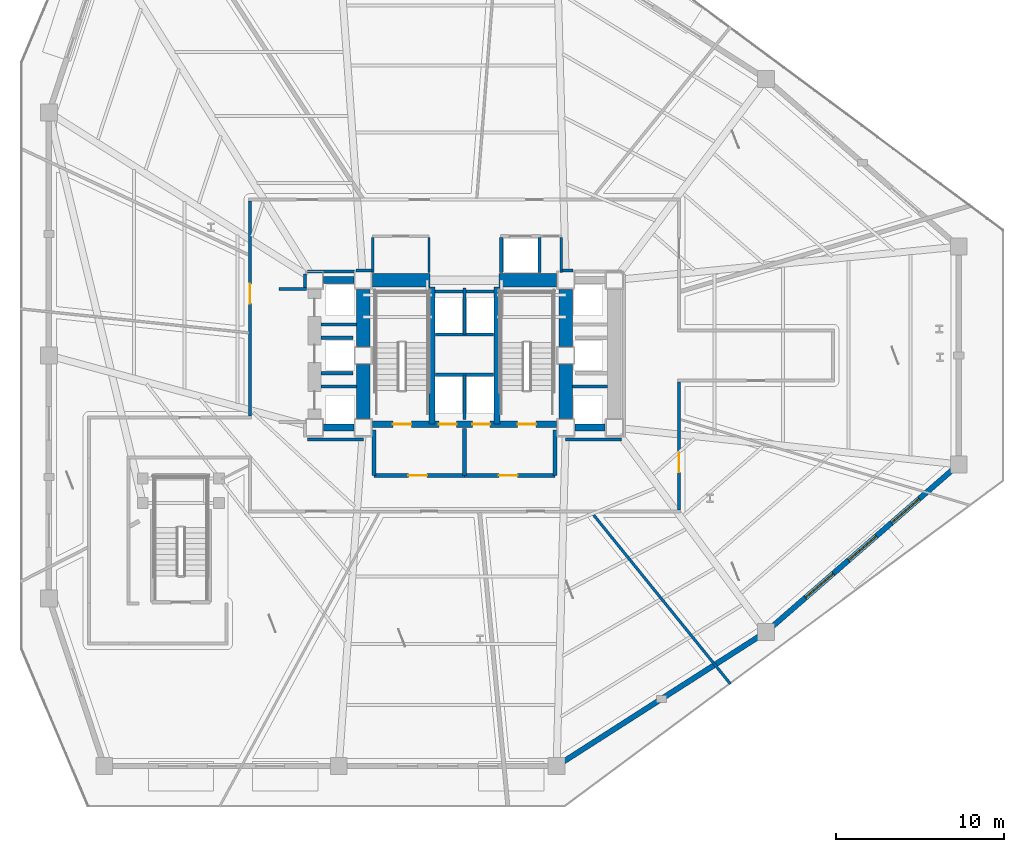
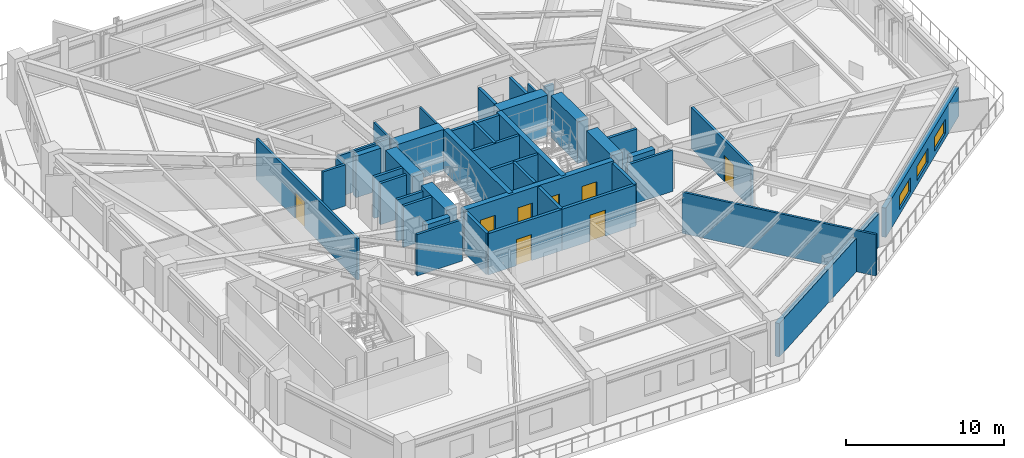
# One storey, part 4 of 10: 44 walls, 8 doors, 3 windows, 11 openings.
"""IFC4 building model written with IfcOpenShell, lengths in metres."""

from ifc_helpers import new_model, si_unit, direction, frame, frame_2d, origin, place, context, subcontext, project, spatial, rectangle, extrude, material, layer, layer_set, type_object, element, fill, save


model = new_model("IFC4")

# Units and contexts
model_context = context("Model", 3, precision=1e-05, world=origin(), true_north=direction((0.0, 1.0)))
body_context = subcontext(model_context, "Body", "Model", "MODEL_VIEW")
ifc_project = project(units=[si_unit("LENGTHUNIT", "METRE"), si_unit("AREAUNIT", "SQUARE_METRE"), si_unit("VOLUMEUNIT", "CUBIC_METRE"), si_unit("PLANEANGLEUNIT", "RADIAN"), si_unit("MASSUNIT", "GRAM", prefix="KILO")], contexts=[model_context])

# Site, building, storey
site_placement = place(None, origin())
site = spatial("IfcSite", under=ifc_project, at=site_placement, CompositionType="ELEMENT")
building_placement = place(site_placement, origin())
building = spatial("IfcBuilding", under=site, at=building_placement, Name="Rocaltana Carrier Exchange", CompositionType="ELEMENT")
storey_placement = place(building_placement, frame((0.0, 0.0, 4.800048828125)))
storey = spatial("IfcBuildingStorey", under=building, at=storey_placement, Name="L02", CompositionType="ELEMENT", Elevation=4.800048828125)

# Walls
ifc_material_1 = material(Name="Double Acoustic Gypsum Partition", Category="gypsum")
ifc_layer_1 = layer(ifc_material_1, 0.159912109375)
ifc_layer_set_1 = layer_set([ifc_layer_1], Name="Double Acoustic Gypsum Partition")
wall_type_1 = type_object("IfcWallType", Name="Acoustic Studio Partition 160 EI60", PredefinedType="PARTITIONING", material=ifc_layer_set_1)
wall_1_placement = place(storey_placement, frame((7.595703125, -9.3798828125, 0.0), z_axis=(0.0, 0.0, 1.0), x_axis=(0.62932258483, -0.777144184964, 0.0)))
element("IfcWall", 1, at=wall_1_placement, inside=storey, type_object=wall_type_1, Name="L02 Suite Divider Wall D6", PredefinedType="PARTITIONING", context=body_context, shape_type="SweptSolid", body=[
    extrude(rectangle(XDim=13.158203125, YDim=0.159912109375, at=frame_2d((6.5791015625, 0.0))), origin(), (0.0, 0.0, 1.0), 3.19287109375),
])
ifc_material_2 = material(Name="Concrete C50/60", Category="concrete")
ifc_layer_2 = layer(ifc_material_2, 0.35009765625)
ifc_layer_set_2 = layer_set([ifc_layer_2], Name="Concrete C50/60")
wall_type_2 = type_object("IfcWallType", Name="Core Internal Shear Wall 350", PredefinedType="SHEAR", material=ifc_layer_set_2)
for number, where, z_axis, x_axis, name in (
    (2, (-1.93994140625, -4.10009765625, 0.0), (0.0, 0.0, 1.0), (0.0, 1.0, 0.0), "L02 Core Shear Wall CW-STW"),
    (3, (1.93994140625, -4.10009765625, 0.0), (0.0, 0.0, 1.0), (0.0, 1.0, 0.0), "L02 Core Shear Wall CW-STE"),
):
    element("IfcWall", number, at=place(storey_placement, frame(where, z_axis=z_axis, x_axis=x_axis)), inside=storey, type_object=wall_type_2, Name=name, PredefinedType="SHEAR", context=body_context, shape_type="SweptSolid", body=[
        extrude(rectangle(XDim=8.2001953125, YDim=0.35009765625, at=frame_2d((4.10009765625, 0.0))), origin(), (0.0, 0.0, 1.0), 3.218017578125),
    ])

# Wall, openings, doors
ifc_material_3 = material(Name="Concrete C50/60", Category="concrete")
ifc_layer_3 = layer(ifc_material_3, 0.39990234375)
ifc_layer_set_3 = layer_set([ifc_layer_3], Name="Concrete C50/60")
wall_type_3 = type_object("IfcWallType", Name="Core Internal Shear Wall 400", PredefinedType="SHEAR", material=ifc_layer_set_3)
wall_2_placement = place(storey_placement, frame((-5.5, -4.10009765625, 0.0), z_axis=(0.0, 0.0, 1.0), x_axis=(1.0, 0.0, 0.0)))
wall_2 = element("IfcWall", 4, at=wall_2_placement, inside=storey, type_object=wall_type_3, Name="L02 Core Shear Wall CW-S", PredefinedType="SHEAR", context=body_context, shape_type="SweptSolid", body=[
    extrude(rectangle(XDim=11.0, YDim=0.39990234375, at=frame_2d((5.5, 0.0))), origin(), (0.0, 0.0, 1.0), 3.218017578125),
])
opening_1_placement = place(wall_2_placement, frame((1.22998046875, 0.0, 0.0)))
opening_1 = element("IfcOpeningElement", 5, at=opening_1_placement, cuts=wall_2, Name="Opening D-ST110", PredefinedType="OPENING", context=body_context, shape_type="SweptSolid", body=[
    extrude(rectangle(XDim=1.10009765625, YDim=2.0400390625, at=frame_2d((0.550048828125, 1.02001953125))), frame((0.0, 0.2099609375, 0.0), z_axis=(0.0, -1.0, 0.0), x_axis=(1.0, 0.0, 0.0)), (0.0, 0.0, 1.0), 0.419921875),
])
opening_2_placement = place(wall_2_placement, frame((8.669921875, 0.0, 0.0)))
opening_2 = element("IfcOpeningElement", 6, at=opening_2_placement, cuts=wall_2, Name="Opening D-ST110", PredefinedType="OPENING", context=body_context, shape_type="SweptSolid", body=[
    extrude(rectangle(XDim=1.10009765625, YDim=2.0400390625, at=frame_2d((0.550048828125, 1.02001953125))), frame((0.0, 0.2099609375, 0.0), z_axis=(0.0, -1.0, 0.0), x_axis=(1.0, 0.0, 0.0)), (0.0, 0.0, 1.0), 0.419921875),
])
opening_3_placement = place(wall_2_placement, frame((3.969970703125, 0.0, 0.0)))
opening_3 = element("IfcOpeningElement", 7, at=opening_3_placement, cuts=wall_2, Name="Opening LD-110", PredefinedType="OPENING", context=body_context, shape_type="SweptSolid", body=[
    extrude(rectangle(XDim=1.06005859375, YDim=2.0400390625, at=frame_2d((0.530029296875, 1.02001953125))), frame((0.0, 0.2099609375, 0.0), z_axis=(0.0, -1.0, 0.0), x_axis=(1.0, 0.0, 0.0)), (0.0, 0.0, 1.0), 0.419921875),
])
opening_4_placement = place(wall_2_placement, frame((5.969970703125, 0.0, 0.0)))
opening_4 = element("IfcOpeningElement", 8, at=opening_4_placement, cuts=wall_2, Name="Opening LD-110", PredefinedType="OPENING", context=body_context, shape_type="SweptSolid", body=[
    extrude(rectangle(XDim=1.06005859375, YDim=2.0400390625, at=frame_2d((0.530029296875, 1.02001953125))), frame((0.0, 0.2099609375, 0.0), z_axis=(0.0, -1.0, 0.0), x_axis=(1.0, 0.0, 0.0)), (0.0, 0.0, 1.0), 0.419921875),
])
ifc_material_4 = material(Name="Hollow Metal Fire Door Assembly", Category="steel")
door_type_1 = type_object("IfcDoorType", Name="Exit Stair Fire Door 1100x2040 FD90S", OperationType="NOTDEFINED", PredefinedType="DOOR", material=ifc_material_4)
door_1_placement = place(opening_1_placement, origin())
door_1 = element("IfcDoor", 9, at=door_1_placement, inside=storey, type_object=door_type_1, Name="L02 Exit Stair ST1 Fire Door", OperationType="SINGLE_SWING_RIGHT", OverallHeight=2.0400390625, OverallWidth=1.10009765625, PredefinedType="DOOR", context=body_context, shape_type="SweptSolid", body=[
    extrude(rectangle(XDim=1.10009765625, YDim=2.0400390625, at=frame_2d((0.550048828125, 1.02001953125))), frame((0.0, 0.02490234375, 0.0), z_axis=(0.0, -1.0, 0.0), x_axis=(1.0, 0.0, 0.0)), (0.0, 0.0, 1.0), 0.050048828125),
])
fill(opening_1, door_1)
door_2_placement = place(opening_2_placement, origin())
door_2 = element("IfcDoor", 10, at=door_2_placement, inside=storey, type_object=door_type_1, Name="L02 Exit Stair ST2 Fire Door", OperationType="SINGLE_SWING_LEFT", OverallHeight=2.0400390625, OverallWidth=1.10009765625, PredefinedType="DOOR", context=body_context, shape_type="SweptSolid", body=[
    extrude(rectangle(XDim=1.10009765625, YDim=2.0400390625, at=frame_2d((0.550048828125, 1.02001953125))), frame((0.0, 0.02490234375, 0.0), z_axis=(0.0, -1.0, 0.0), x_axis=(1.0, 0.0, 0.0)), (0.0, 0.0, 1.0), 0.050048828125),
])
fill(opening_2, door_2)
ifc_material_5 = material(Name="Brushed Stainless Sliding Door Leaf", Category="steel")
door_type_2 = type_object("IfcDoorType", Name="Lift Landing Sliding Door 1060x2040", OperationType="NOTDEFINED", PredefinedType="DOOR", material=ifc_material_5)
door_3_placement = place(opening_3_placement, origin())
door_3 = element("IfcDoor", 11, at=door_3_placement, inside=storey, type_object=door_type_2, Name="L02 Firefighting Lift FFL1 Landing Door", OperationType="SLIDING_TO_LEFT", OverallHeight=2.0400390625, OverallWidth=1.06005859375, PredefinedType="DOOR", context=body_context, shape_type="SweptSolid", body=[
    extrude(rectangle(XDim=1.06005859375, YDim=2.0400390625, at=frame_2d((0.530029296875, 1.02001953125))), frame((0.0, 0.02490234375, 0.0), z_axis=(0.0, -1.0, 0.0), x_axis=(1.0, 0.0, 0.0)), (0.0, 0.0, 1.0), 0.050048828125),
])
fill(opening_3, door_3)
door_4_placement = place(opening_4_placement, origin())
door_4 = element("IfcDoor", 12, at=door_4_placement, inside=storey, type_object=door_type_2, Name="L02 Firefighting Lift FFL2 Landing Door", OperationType="SLIDING_TO_RIGHT", OverallHeight=2.0400390625, OverallWidth=1.06005859375, PredefinedType="DOOR", context=body_context, shape_type="SweptSolid", body=[
    extrude(rectangle(XDim=1.06005859375, YDim=2.0400390625, at=frame_2d((0.530029296875, 1.02001953125))), frame((0.0, 0.02490234375, 0.0), z_axis=(0.0, -1.0, 0.0), x_axis=(1.0, 0.0, 0.0)), (0.0, 0.0, 1.0), 0.050048828125),
])
fill(opening_4, door_4)

# Walls
for number, where, z_axis, x_axis, name in (
    (13, (-8.39990234375, 4.5, 0.0), (0.0, 0.0, 1.0), (1.0, 0.0, 0.0), "L02 Core Shear Wall CW-WWN"),
    (14, (-8.39990234375, -4.300048828125, 0.0), (0.0, 0.0, 1.0), (1.0, 0.0, 0.0), "L02 Core Shear Wall CW-WWS"),
    (15, (6.60009765625, -4.300048828125, 0.0), (0.0, 0.0, 1.0), (1.0, 0.0, 0.0), "L02 Core Shear Wall CW-EWS"),
):
    element("IfcWall", number, at=place(storey_placement, frame(where, z_axis=z_axis, x_axis=x_axis)), inside=storey, type_object=wall_type_3, Name=name, PredefinedType="SHEAR", context=body_context, shape_type="SweptSolid", body=[
        extrude(rectangle(XDim=1.7998046875, YDim=0.39990234375, at=frame_2d((0.89990234375, 0.0))), origin(), (0.0, 0.0, 1.0), 3.218017578125),
    ])
ifc_material_6 = material(Name="Concrete C60/75", Category="concrete")
ifc_layer_4 = layer(ifc_material_6, 0.800048828125)
ifc_layer_set_4 = layer_set([ifc_layer_4], Name="Concrete C60/75")
wall_type_4 = type_object("IfcWallType", Name="Core Shear Wall 800", PredefinedType="SHEAR", material=ifc_layer_set_4)
wall_3_placement = place(storey_placement, frame((-6.050048828125, 0.550048828125, 0.0), z_axis=(0.0, 0.0, 1.0), x_axis=(0.0, 1.0, 0.0)))
element("IfcWall", 16, at=wall_3_placement, inside=storey, type_object=wall_type_4, Name="L02 Core Shear Wall CW-WN", PredefinedType="SHEAR", context=body_context, shape_type="SweptSolid", body=[
    extrude(rectangle(XDim=3.39990234375, YDim=0.800048828125, at=frame_2d((1.699951171875, 0.0))), origin(), (0.0, 0.0, 1.0), 3.218017578125),
])
wall_4_placement = place(storey_placement, frame((-6.050048828125, -3.75, 0.0), z_axis=(0.0, 0.0, 1.0), x_axis=(0.0, 1.0, 0.0)))
element("IfcWall", 17, at=wall_4_placement, inside=storey, type_object=wall_type_4, Name="L02 Core Shear Wall CW-WS", PredefinedType="SHEAR", context=body_context, shape_type="SweptSolid", body=[
    extrude(rectangle(XDim=3.199951171875, YDim=0.800048828125, at=frame_2d((1.60009765625, 0.0))), origin(), (0.0, 0.0, 1.0), 3.218017578125),
])
wall_5_placement = place(storey_placement, frame((6.050048828125, 0.550048828125, 0.0), z_axis=(0.0, 0.0, 1.0), x_axis=(0.0, 1.0, 0.0)))
element("IfcWall", 18, at=wall_5_placement, inside=storey, type_object=wall_type_4, Name="L02 Core Shear Wall CW-EN", PredefinedType="SHEAR", context=body_context, shape_type="SweptSolid", body=[
    extrude(rectangle(XDim=3.39990234375, YDim=0.800048828125, at=frame_2d((1.699951171875, 0.0))), origin(), (0.0, 0.0, 1.0), 3.218017578125),
])
wall_6_placement = place(storey_placement, frame((6.050048828125, -3.75, 0.0), z_axis=(0.0, 0.0, 1.0), x_axis=(0.0, 1.0, 0.0)))
element("IfcWall", 19, at=wall_6_placement, inside=storey, type_object=wall_type_4, Name="L02 Core Shear Wall CW-ES", PredefinedType="SHEAR", context=body_context, shape_type="SweptSolid", body=[
    extrude(rectangle(XDim=3.199951171875, YDim=0.800048828125, at=frame_2d((1.60009765625, 0.0))), origin(), (0.0, 0.0, 1.0), 3.218017578125),
])
for number, where, z_axis, x_axis, name in (
    (20, (-5.5, 4.5, 0.0), (0.0, 0.0, 1.0), (1.0, 0.0, 0.0), "L02 Core Shear Wall CW-N1"),
    (21, (2.050048828125, 4.5, 0.0), (0.0, 0.0, 1.0), (1.0, 0.0, 0.0), "L02 Core Shear Wall CW-N2"),
):
    element("IfcWall", number, at=place(storey_placement, frame(where, z_axis=z_axis, x_axis=x_axis)), inside=storey, type_object=wall_type_4, Name=name, PredefinedType="SHEAR", context=body_context, shape_type="SweptSolid", body=[
        extrude(rectangle(XDim=3.449951171875, YDim=0.800048828125, at=frame_2d((1.72509765625, 0.0))), origin(), (0.0, 0.0, 1.0), 3.218017578125),
    ])

# Wall, opening, door
ifc_material_7 = material(Name="Gypsum & Steel Stud Partition", Category="steel")
ifc_layer_5 = layer(ifc_material_7, 0.179931640625)
ifc_layer_set_5 = layer_set([ifc_layer_5], Name="Gypsum & Steel Stud Partition")
wall_type_5 = type_object("IfcWallType", Name="Corridor Fire Partition 180 EI60", PredefinedType="PARTITIONING", material=ifc_layer_set_5)
wall_7_placement = place(storey_placement, frame((-12.800048828125, -3.610107421875, 0.0), z_axis=(0.0, 0.0, 1.0), x_axis=(0.0, 1.0, 0.0)))
wall_7 = element("IfcWall", 22, at=wall_7_placement, inside=storey, type_object=wall_type_5, Name="L02 Corridor Partition 7", PredefinedType="PARTITIONING", context=body_context, shape_type="SweptSolid", body=[
    extrude(rectangle(XDim=12.820068359375, YDim=0.179931640625, at=frame_2d((6.41015625, 0.0))), origin(), (0.0, 0.0, 1.0), 3.19287109375),
])
opening_5_placement = place(wall_7_placement, frame((6.7001953125, 0.0, 0.0)))
opening_5 = element("IfcOpeningElement", 23, at=opening_5_placement, cuts=wall_7, Name="Opening D-SU120", PredefinedType="OPENING", context=body_context, shape_type="SweptSolid", body=[
    extrude(rectangle(XDim=1.179931640625, YDim=2.02001953125, at=frame_2d((0.58984375, 1.010009765625))), frame((0.0, 0.099853515625, 0.0), z_axis=(0.0, -1.0, 0.0), x_axis=(1.0, 0.0, 0.0)), (0.0, 0.0, 1.0), 0.199951171875),
])
ifc_material_8 = material(Name="Engineered Hardwood Timber", Category="wood")
door_type_3 = type_object("IfcDoorType", Name="Suite Double Entrance Door 1180x2020", OperationType="NOTDEFINED", PredefinedType="DOOR", material=ifc_material_8)
door_5_placement = place(opening_5_placement, origin())
door_5 = element("IfcDoor", 24, at=door_5_placement, inside=storey, type_object=door_type_3, Name="L02 Carrier Peering Suite Entrance Door", OperationType="SINGLE_SWING_LEFT", OverallHeight=2.02001953125, OverallWidth=1.179931640625, PredefinedType="DOOR", context=body_context, shape_type="SweptSolid", body=[
    extrude(rectangle(XDim=1.179931640625, YDim=2.02001953125, at=frame_2d((0.58984375, 1.010009765625))), frame((0.0, 0.02490234375, 0.0), z_axis=(0.0, -1.0, 0.0), x_axis=(1.0, 0.0, 0.0)), (0.0, 0.0, 1.0), 0.050048828125),
])
fill(opening_5, door_5)

wall_8_placement = place(storey_placement, frame((12.800048828125, -1.590087890625, 0.0), z_axis=(0.0, 0.0, 1.0), x_axis=(0.0, -1.0, 0.0)))
wall_8 = element("IfcWall", 25, at=wall_8_placement, inside=storey, type_object=wall_type_5, Name="L02 Corridor Partition 13", PredefinedType="PARTITIONING", context=body_context, shape_type="SweptSolid", body=[
    extrude(rectangle(XDim=7.619873046875, YDim=0.179931640625, at=frame_2d((3.81005859375, 0.0))), origin(), (0.0, 0.0, 1.0), 3.19287109375),
])
opening_6_placement = place(wall_8_placement, frame((4.2041015625, 0.0, 0.0)))
opening_6 = element("IfcOpeningElement", 26, at=opening_6_placement, cuts=wall_8, Name="Opening D-SU120", PredefinedType="OPENING", context=body_context, shape_type="SweptSolid", body=[
    extrude(rectangle(XDim=1.179931640625, YDim=2.02001953125, at=frame_2d((0.58984375, 1.010009765625))), frame((0.0, 0.099853515625, 0.0), z_axis=(0.0, -1.0, 0.0), x_axis=(1.0, 0.0, 0.0)), (0.0, 0.0, 1.0), 0.199951171875),
])
door_6_placement = place(opening_6_placement, origin())
door_6 = element("IfcDoor", 27, at=door_6_placement, inside=storey, type_object=door_type_3, Name="L02 Carrier Peering Suite Entrance Door", OperationType="SINGLE_SWING_LEFT", OverallHeight=2.02001953125, OverallWidth=1.179931640625, PredefinedType="DOOR", context=body_context, shape_type="SweptSolid", body=[
    extrude(rectangle(XDim=1.179931640625, YDim=2.02001953125, at=frame_2d((0.58984375, 1.010009765625))), frame((0.0, 0.02490234375, 0.0), z_axis=(0.0, -1.0, 0.0), x_axis=(1.0, 0.0, 0.0)), (0.0, 0.0, 1.0), 0.050048828125),
])
fill(opening_6, door_6)

# Walls
for number, where, z_axis, x_axis, name in (
    (28, (-9.3701171875, -5.010009765625, 0.0), (0.0, 0.0, 1.0), (1.0, 0.0, 0.0), "L02 Corridor Partition 23"),
    (29, (6.030029296875, -5.010009765625, 0.0), (0.0, 0.0, 1.0), (1.0, 0.0, 0.0), "L02 Corridor Partition 26"),
):
    element("IfcWall", number, at=place(storey_placement, frame(where, z_axis=z_axis, x_axis=x_axis)), inside=storey, type_object=wall_type_5, Name=name, PredefinedType="PARTITIONING", context=body_context, shape_type="SweptSolid", body=[
        extrude(rectangle(XDim=3.340087890625, YDim=0.179931640625, at=frame_2d((1.669921875, 0.0))), origin(), (0.0, 0.0, 1.0), 3.19287109375),
    ])
wall_9_placement = place(storey_placement, frame((6.469970703125, 5.080078125, 0.0), z_axis=(0.0, 0.0, 1.0), x_axis=(-1.0, 0.0, 0.0)))
element("IfcWall", 30, at=wall_9_placement, inside=storey, type_object=wall_type_5, Name="L02 Corridor Partition 29", PredefinedType="PARTITIONING", context=body_context, shape_type="SweptSolid", body=[
    extrude(rectangle(XDim=0.64990234375, YDim=0.179931640625, at=frame_2d((0.324951171875, 0.0))), origin(), (0.0, 0.0, 1.0), 3.19287109375),
])
wall_10_placement = place(storey_placement, frame((-5.52001953125, 5.080078125, 0.0), z_axis=(0.0, 0.0, 1.0), x_axis=(-1.0, 0.0, 0.0)))
element("IfcWall", 31, at=wall_10_placement, inside=storey, type_object=wall_type_5, Name="L02 Corridor Partition 32", PredefinedType="PARTITIONING", context=body_context, shape_type="SweptSolid", body=[
    extrude(rectangle(XDim=0.949951171875, YDim=0.179931640625, at=frame_2d((0.47509765625, 0.0))), origin(), (0.0, 0.0, 1.0), 3.19287109375),
])
wall_11_placement = place(storey_placement, frame((-6.562255859375, 5.010009765625, 0.0), z_axis=(0.0, 0.0, 1.0), x_axis=(-1.0, 0.0, 0.0)))
element("IfcWall", 32, at=wall_11_placement, inside=storey, type_object=wall_type_5, Name="L02 Corridor Partition 33", PredefinedType="PARTITIONING", context=body_context, shape_type="SweptSolid", body=[
    extrude(rectangle(XDim=2.807861328125, YDim=0.179931640625, at=frame_2d((1.40380859375, 0.0))), origin(), (0.0, 0.0, 1.0), 3.19287109375),
])
wall_12_placement = place(storey_placement, frame((-9.510009765625, 4.8701171875, 0.0), z_axis=(0.0, 0.0, 1.0), x_axis=(0.0, -1.0, 0.0)))
element("IfcWall", 33, at=wall_12_placement, inside=storey, type_object=wall_type_5, Name="L02 Corridor Partition 34", PredefinedType="PARTITIONING", context=body_context, shape_type="SweptSolid", body=[
    extrude(rectangle(XDim=0.820068359375, YDim=0.179931640625, at=frame_2d((0.41015625, 0.0))), origin(), (0.0, 0.0, 1.0), 3.19287109375),
])
wall_13_placement = place(storey_placement, frame((-9.419921875, 3.9599609375, 0.0), z_axis=(0.0, 0.0, 1.0), x_axis=(-1.0, 0.0, 0.0)))
element("IfcWall", 34, at=wall_13_placement, inside=storey, type_object=wall_type_5, Name="L02 Corridor Partition 35", PredefinedType="PARTITIONING", context=body_context, shape_type="SweptSolid", body=[
    extrude(rectangle(XDim=1.650146484375, YDim=0.179931640625, at=frame_2d((0.8251953125, 0.0))), origin(), (0.0, 0.0, 1.0), 3.19287109375),
])
ifc_material_9 = material(Name="Autoclaved Aerated Concrete C30/37", Category="concrete")
ifc_layer_6 = layer(ifc_material_9, 0.219970703125)
ifc_layer_set_6 = layer_set([ifc_layer_6], Name="Autoclaved Aerated Concrete C30/37")
wall_type_6 = type_object("IfcWallType", Name="Firefighting Lobby Wall 220 EI120", PredefinedType="PARTITIONING", material=ifc_layer_set_6)
for number, where, z_axis, x_axis, name in (
    (35, (-5.39990234375, -7.159912109375, 0.0), (0.0, 0.0, 1.0), (0.0, 1.0, 0.0), "L02 FFL Lobby 1 West Wall"),
    (36, (5.39990234375, -7.159912109375, 0.0), (0.0, 0.0, 1.0), (0.0, 1.0, 0.0), "L02 FFL Lobby 2 East Wall"),
):
    element("IfcWall", number, at=place(storey_placement, frame(where, z_axis=z_axis, x_axis=x_axis)), inside=storey, type_object=wall_type_6, Name=name, PredefinedType="PARTITIONING", context=body_context, shape_type="SweptSolid", body=[
        extrude(rectangle(XDim=2.7099609375, YDim=0.219970703125, at=frame_2d((1.35498046875, 0.0))), origin(), (0.0, 0.0, 1.0), 3.19287109375),
    ])
wall_14_placement = place(storey_placement, frame((0.0, -7.159912109375, 0.0), z_axis=(0.0, 0.0, 1.0), x_axis=(0.0, 1.0, 0.0)))
element("IfcWall", 37, at=wall_14_placement, inside=storey, type_object=wall_type_6, Name="L02 FFL Lobby Centre Wall", PredefinedType="PARTITIONING", context=body_context, shape_type="SweptSolid", body=[
    extrude(rectangle(XDim=2.809814453125, YDim=0.219970703125, at=frame_2d((1.40478515625, 0.0))), origin(), (0.0, 0.0, 1.0), 3.19287109375),
])

# Wall, opening, door
wall_15_placement = place(storey_placement, frame((-5.39990234375, -7.159912109375, 0.0), z_axis=(0.0, 0.0, 1.0), x_axis=(1.0, 0.0, 0.0)))
wall_15 = element("IfcWall", 38, at=wall_15_placement, inside=storey, type_object=wall_type_6, Name="L02 FFL Lobby 1 South Wall", PredefinedType="PARTITIONING", context=body_context, shape_type="SweptSolid", body=[
    extrude(rectangle(XDim=5.39990234375, YDim=0.219970703125, at=frame_2d((2.699951171875, 0.0))), origin(), (0.0, 0.0, 1.0), 3.19287109375),
])
opening_7_placement = place(wall_15_placement, frame((2.050048828125, 0.0, 0.0)))
opening_7 = element("IfcOpeningElement", 39, at=opening_7_placement, cuts=wall_15, Name="Opening D-FF115", PredefinedType="OPENING", context=body_context, shape_type="SweptSolid", body=[
    extrude(rectangle(XDim=1.1201171875, YDim=2.02001953125, at=frame_2d((0.56005859375, 1.010009765625))), frame((0.0, 0.119873046875, 0.0), z_axis=(0.0, -1.0, 0.0), x_axis=(1.0, 0.0, 0.0)), (0.0, 0.0, 1.0), 0.239990234375),
])
ifc_material_10 = material(Name="Hollow Metal Fire Door Assembly", Category="steel")
door_type_4 = type_object("IfcDoorType", Name="Firefighting Lobby Door 1120x2020 FD60S", OperationType="NOTDEFINED", PredefinedType="DOOR", material=ifc_material_10)
door_7_placement = place(opening_7_placement, origin())
door_7 = element("IfcDoor", 40, at=door_7_placement, inside=storey, type_object=door_type_4, Name="L02 Firefighting Lift Lobby 1 Door", OperationType="SINGLE_SWING_RIGHT", OverallHeight=2.02001953125, OverallWidth=1.1201171875, PredefinedType="DOOR", context=body_context, shape_type="SweptSolid", body=[
    extrude(rectangle(XDim=1.1201171875, YDim=2.02001953125, at=frame_2d((0.56005859375, 1.010009765625))), frame((0.0, 0.02490234375, 0.0), z_axis=(0.0, -1.0, 0.0), x_axis=(1.0, 0.0, 0.0)), (0.0, 0.0, 1.0), 0.050048828125),
])
fill(opening_7, door_7)

wall_16_placement = place(storey_placement, frame((0.0, -7.159912109375, 0.0), z_axis=(0.0, 0.0, 1.0), x_axis=(1.0, 0.0, 0.0)))
wall_16 = element("IfcWall", 41, at=wall_16_placement, inside=storey, type_object=wall_type_6, Name="L02 FFL Lobby 2 South Wall", PredefinedType="PARTITIONING", context=body_context, shape_type="SweptSolid", body=[
    extrude(rectangle(XDim=5.39990234375, YDim=0.219970703125, at=frame_2d((2.699951171875, 0.0))), origin(), (0.0, 0.0, 1.0), 3.19287109375),
])
opening_8_placement = place(wall_16_placement, frame((2.050048828125, 0.0, 0.0)))
opening_8 = element("IfcOpeningElement", 42, at=opening_8_placement, cuts=wall_16, Name="Opening D-FF115", PredefinedType="OPENING", context=body_context, shape_type="SweptSolid", body=[
    extrude(rectangle(XDim=1.1201171875, YDim=2.02001953125, at=frame_2d((0.56005859375, 1.010009765625))), frame((0.0, 0.119873046875, 0.0), z_axis=(0.0, -1.0, 0.0), x_axis=(1.0, 0.0, 0.0)), (0.0, 0.0, 1.0), 0.239990234375),
])
door_8_placement = place(opening_8_placement, origin())
door_8 = element("IfcDoor", 43, at=door_8_placement, inside=storey, type_object=door_type_4, Name="L02 Firefighting Lift Lobby 2 Door", OperationType="SINGLE_SWING_LEFT", OverallHeight=2.02001953125, OverallWidth=1.1201171875, PredefinedType="DOOR", context=body_context, shape_type="SweptSolid", body=[
    extrude(rectangle(XDim=1.1201171875, YDim=2.02001953125, at=frame_2d((0.56005859375, 1.010009765625))), frame((0.0, 0.02490234375, 0.0), z_axis=(0.0, -1.0, 0.0), x_axis=(1.0, 0.0, 0.0)), (0.0, 0.0, 1.0), 0.050048828125),
])
fill(opening_8, door_8)

# Walls
ifc_material_11 = material(Name="Reinforced Concrete Block C35/45", Category="concrete")
ifc_layer_7 = layer(ifc_material_11, 0.199951171875)
ifc_layer_set_7 = layer_set([ifc_layer_7], Name="Reinforced Concrete Block C35/45")
wall_type_7 = type_object("IfcWallType", Name="Lift Hoistway Enclosure Wall 200 EI120", PredefinedType="PARTITIONING", material=ifc_layer_set_7)
wall_17_placement = place(storey_placement, frame((0.0, -3.820068359375, 0.0), z_axis=(0.0, 0.0, 1.0), x_axis=(0.0, 1.0, 0.0)))
element("IfcWall", 44, at=wall_17_placement, inside=storey, type_object=wall_type_7, Name="L02 FFL Shaft Divider", PredefinedType="PARTITIONING", context=body_context, shape_type="SweptSolid", body=[
    extrude(rectangle(XDim=2.670166015625, YDim=0.199951171875, at=frame_2d((1.3349609375, 0.0))), origin(), (0.0, 0.0, 1.0), 3.19287109375),
])
wall_18_placement = place(storey_placement, frame((-1.719970703125, -1.14990234375, 0.0), z_axis=(0.0, 0.0, 1.0), x_axis=(1.0, 0.0, 0.0)))
element("IfcWall", 45, at=wall_18_placement, inside=storey, type_object=wall_type_7, Name="L02 FFL Shaft Back Wall", PredefinedType="PARTITIONING", context=body_context, shape_type="SweptSolid", body=[
    extrude(rectangle(XDim=3.43994140625, YDim=0.199951171875, at=frame_2d((1.719970703125, 0.0))), origin(), (0.0, 0.0, 1.0), 3.19287109375),
])
wall_19_placement = place(storey_placement, frame((0.0, 1.25, 0.0), z_axis=(0.0, 0.0, 1.0), x_axis=(0.0, 1.0, 0.0)))
element("IfcWall", 46, at=wall_19_placement, inside=storey, type_object=wall_type_7, Name="L02 High-Rise Shaft Divider", PredefinedType="PARTITIONING", context=body_context, shape_type="SweptSolid", body=[
    extrude(rectangle(XDim=2.77001953125, YDim=0.199951171875, at=frame_2d((1.385009765625, 0.0))), origin(), (0.0, 0.0, 1.0), 3.19287109375),
])
wall_20_placement = place(storey_placement, frame((-1.719970703125, 1.25, 0.0), z_axis=(0.0, 0.0, 1.0), x_axis=(1.0, 0.0, 0.0)))
element("IfcWall", 47, at=wall_20_placement, inside=storey, type_object=wall_type_7, Name="L02 High-Rise Shaft Back Wall", PredefinedType="PARTITIONING", context=body_context, shape_type="SweptSolid", body=[
    extrude(rectangle(XDim=3.43994140625, YDim=0.199951171875, at=frame_2d((1.719970703125, 0.0))), origin(), (0.0, 0.0, 1.0), 3.19287109375),
])
wall_21_placement = place(storey_placement, frame((-1.760009765625, 3.820068359375, 0.0), z_axis=(0.0, 0.0, 1.0), x_axis=(1.0, 0.0, 0.0)))
element("IfcWall", 48, at=wall_21_placement, inside=storey, type_object=wall_type_7, Name="L02 High-Rise Lift Front Wall", PredefinedType="PARTITIONING", context=body_context, shape_type="SweptSolid", body=[
    extrude(rectangle(XDim=3.52001953125, YDim=0.199951171875, at=frame_2d((1.760009765625, 0.0))), origin(), (0.0, 0.0, 1.0), 3.19287109375),
])
for number, where, z_axis, x_axis, name in (
    (49, (2.199951171875, 4.949951171875, 0.0), (0.0, 0.0, 1.0), (0.0, 1.0, 0.0), "L02 Goods Lift West Wall"),
    (50, (4.47998046875, 4.949951171875, 0.0), (0.0, 0.0, 1.0), (0.0, 1.0, 0.0), "L02 Goods Lift East Wall"),
    (51, (-8.550048828125, -1.85009765625, 0.0), (0.0, 0.0, 1.0), (1.0, 0.0, 0.0), "L02 Low-Rise Shaft Divider 1"),
    (52, (-8.550048828125, 1.85009765625, 0.0), (0.0, 0.0, 1.0), (1.0, 0.0, 0.0), "L02 Low-Rise Shaft Divider 2"),
):
    element("IfcWall", number, at=place(storey_placement, frame(where, z_axis=z_axis, x_axis=x_axis)), inside=storey, type_object=wall_type_7, Name=name, PredefinedType="PARTITIONING", context=body_context, shape_type="SweptSolid", body=[
        extrude(rectangle(XDim=2.10009765625, YDim=0.199951171875, at=frame_2d((1.050048828125, 0.0))), origin(), (0.0, 0.0, 1.0), 3.19287109375),
    ])
for number, where, z_axis, x_axis, name in (
    (53, (-8.550048828125, -1.050048828125, 0.0), (0.0, 0.0, 1.0), (1.0, 0.0, 0.0), "L02 Low-Rise Center Shaft Wall South"),
    (54, (-8.550048828125, 1.050048828125, 0.0), (0.0, 0.0, 1.0), (1.0, 0.0, 0.0), "L02 Low-Rise Center Shaft Wall North"),
):
    element("IfcWall", number, at=place(storey_placement, frame(where, z_axis=z_axis, x_axis=x_axis)), inside=storey, type_object=wall_type_7, Name=name, PredefinedType="PARTITIONING", context=body_context, shape_type="SweptSolid", body=[
        extrude(rectangle(XDim=1.91015625, YDim=0.199951171875, at=frame_2d((0.955078125, 0.0))), origin(), (0.0, 0.0, 1.0), 3.19287109375),
    ])
wall_22_placement = place(storey_placement, frame((6.449951171875, -1.85009765625, 0.0), z_axis=(0.0, 0.0, 1.0), x_axis=(1.0, 0.0, 0.0)))
element("IfcWall", 55, at=wall_22_placement, inside=storey, type_object=wall_type_7, Name="L02 Mid-Rise Shaft Divider 1", PredefinedType="PARTITIONING", context=body_context, shape_type="SweptSolid", body=[
    extrude(rectangle(XDim=2.10009765625, YDim=0.199951171875, at=frame_2d((1.050048828125, 0.0))), origin(), (0.0, 0.0, 1.0), 3.19287109375),
])
ifc_material_12 = material(Name="Precast sandstone concrete C45/55", Category="masonry")
ifc_layer_8 = layer(ifc_material_12, 0.320068359375)
ifc_layer_set_8 = layer_set([ifc_layer_8], Name="Precast sandstone concrete C45/55")
wall_type_8 = type_object("IfcWallType", Name="Precast Sandstone Facade Wall 320", PredefinedType="SOLIDWALL", material=ifc_layer_set_8)
wall_23_placement = place(storey_placement, frame((17.56201171875, -16.7802734375, 0.0), z_axis=(0.0, 0.0, 1.0), x_axis=(-0.842268830443, -0.539057712368, 0.0)))
element("IfcWall", 56, at=wall_23_placement, inside=storey, type_object=wall_type_8, Name="L02 Sandstone Facade Wall B03", PredefinedType="SOLIDWALL", context=body_context, shape_type="SweptSolid", body=[
    extrude(rectangle(XDim=13.80078125, YDim=0.320068359375, at=frame_2d((6.900390625, 0.0))), origin(), (0.0, 0.0, 1.0), 2.587890625),
])

# Wall, openings, windows
wall_24_placement = place(storey_placement, frame((29.107666015625, -6.84130859375, 0.0), z_axis=(0.0, 0.0, 1.0), x_axis=(-0.754615886195, -0.656166796098, 0.0)))
wall_24 = element("IfcWall", 57, at=wall_24_placement, inside=storey, type_object=wall_type_8, Name="L02 Sandstone Facade Wall B04", PredefinedType="SOLIDWALL", context=body_context, shape_type="SweptSolid", body=[
    extrude(rectangle(XDim=14.19970703125, YDim=0.320068359375, at=frame_2d((7.099853515625, 0.0))), origin(), (0.0, 0.0, 1.0), 2.260986328125),
])
opening_9_placement = place(wall_24_placement, frame((2.599853515625, 0.0, 0.39990234375)))
opening_9 = element("IfcOpeningElement", 58, at=opening_9_placement, cuts=wall_24, Name="Opening W-04", PredefinedType="OPENING", context=body_context, shape_type="SweptSolid", body=[
    extrude(rectangle(XDim=2.199951171875, YDim=1.10009765625, at=frame_2d((1.10009765625, 0.550048828125))), frame((0.0, 0.169921875, 0.0), z_axis=(0.0, -1.0, 0.0), x_axis=(1.0, 0.0, 0.0)), (0.0, 0.0, 1.0), 0.340087890625),
])
opening_10_placement = place(wall_24_placement, frame((6.0, 0.0, 0.39990234375)))
opening_10 = element("IfcOpeningElement", 59, at=opening_10_placement, cuts=wall_24, Name="Opening W-04", PredefinedType="OPENING", context=body_context, shape_type="SweptSolid", body=[
    extrude(rectangle(XDim=2.199951171875, YDim=1.10009765625, at=frame_2d((1.10009765625, 0.550048828125))), frame((0.0, 0.169921875, 0.0), z_axis=(0.0, -1.0, 0.0), x_axis=(1.0, 0.0, 0.0)), (0.0, 0.0, 1.0), 0.340087890625),
])
opening_11_placement = place(wall_24_placement, frame((9.39990234375, 0.0, 0.39990234375)))
opening_11 = element("IfcOpeningElement", 60, at=opening_11_placement, cuts=wall_24, Name="Opening W-04", PredefinedType="OPENING", context=body_context, shape_type="SweptSolid", body=[
    extrude(rectangle(XDim=2.199951171875, YDim=1.10009765625, at=frame_2d((1.10009765625, 0.550048828125))), frame((0.0, 0.169921875, 0.0), z_axis=(0.0, -1.0, 0.0), x_axis=(1.0, 0.0, 0.0)), (0.0, 0.0, 1.0), 0.340087890625),
])
ifc_material_13 = material(Name="Aluminium 6063-T6 & Double Glazing", Category="aluminium")
window_type = type_object("IfcWindowType", Name="Podium Clerestory Window 2200x1100", PartitioningType="SINGLE_PANEL", PredefinedType="WINDOW", material=ifc_material_13)
window_1_placement = place(opening_9_placement, origin())
window_1 = element("IfcWindow", 61, at=window_1_placement, inside=storey, type_object=window_type, Name="L02 Punched Window B04-1", OverallHeight=1.10009765625, OverallWidth=2.199951171875, PartitioningType="SINGLE_PANEL", PredefinedType="WINDOW", context=body_context, shape_type="SweptSolid", body=[
    extrude(rectangle(XDim=2.199951171875, YDim=1.10009765625, at=frame_2d((1.10009765625, 0.550048828125))), frame((0.0, 0.030029296875, 0.0), z_axis=(0.0, -1.0, 0.0), x_axis=(1.0, 0.0, 0.0)), (0.0, 0.0, 1.0), 0.06005859375),
])
fill(opening_9, window_1)
window_2_placement = place(opening_10_placement, origin())
window_2 = element("IfcWindow", 62, at=window_2_placement, inside=storey, type_object=window_type, Name="L02 Punched Window B04-2", OverallHeight=1.10009765625, OverallWidth=2.199951171875, PartitioningType="SINGLE_PANEL", PredefinedType="WINDOW", context=body_context, shape_type="SweptSolid", body=[
    extrude(rectangle(XDim=2.199951171875, YDim=1.10009765625, at=frame_2d((1.10009765625, 0.550048828125))), frame((0.0, 0.030029296875, 0.0), z_axis=(0.0, -1.0, 0.0), x_axis=(1.0, 0.0, 0.0)), (0.0, 0.0, 1.0), 0.06005859375),
])
fill(opening_10, window_2)
window_3_placement = place(opening_11_placement, origin())
window_3 = element("IfcWindow", 63, at=window_3_placement, inside=storey, type_object=window_type, Name="L02 Punched Window B04-3", OverallHeight=1.10009765625, OverallWidth=2.199951171875, PartitioningType="SINGLE_PANEL", PredefinedType="WINDOW", context=body_context, shape_type="SweptSolid", body=[
    extrude(rectangle(XDim=2.199951171875, YDim=1.10009765625, at=frame_2d((1.10009765625, 0.550048828125))), frame((0.0, 0.030029296875, 0.0), z_axis=(0.0, -1.0, 0.0), x_axis=(1.0, 0.0, 0.0)), (0.0, 0.0, 1.0), 0.06005859375),
])
fill(opening_11, window_3)

# Walls
ifc_material_14 = material(Name="Moisture-Resistant Masonry C30/37", Category="masonry")
ifc_layer_9 = layer(ifc_material_14, 0.139892578125)
ifc_layer_set_9 = layer_set([ifc_layer_9], Name="Moisture-Resistant Masonry C30/37")
wall_type_9 = type_object("IfcWallType", Name="Wet-Area Sanitary Partition 140", PredefinedType="PARTITIONING", material=ifc_layer_set_9)
for number, where, z_axis, x_axis, name in (
    (64, (-5.47998046875, 4.949951171875, 0.0), (0.0, 0.0, 1.0), (0.0, 1.0, 0.0), "L02 Sanitary West Wall"),
    (65, (-2.1201171875, 4.949951171875, 0.0), (0.0, 0.0, 1.0), (0.0, 1.0, 0.0), "L02 Sanitary East Wall"),
):
    element("IfcWall", number, at=place(storey_placement, frame(where, z_axis=z_axis, x_axis=x_axis)), inside=storey, type_object=wall_type_9, Name=name, PredefinedType="PARTITIONING", context=body_context, shape_type="SweptSolid", body=[
        extrude(rectangle(XDim=2.10009765625, YDim=0.139892578125, at=frame_2d((1.050048828125, 0.0))), origin(), (0.0, 0.0, 1.0), 3.19287109375),
    ])
wall_25_placement = place(storey_placement, frame((5.780029296875, 4.949951171875, 0.0), z_axis=(0.0, 0.0, 1.0), x_axis=(0.0, 1.0, 0.0)))
element("IfcWall", 66, at=wall_25_placement, inside=storey, type_object=wall_type_9, Name="L02 Restroom East Wall", PredefinedType="PARTITIONING", context=body_context, shape_type="SweptSolid", body=[
    extrude(rectangle(XDim=2.10009765625, YDim=0.139892578125, at=frame_2d((1.050048828125, 0.0))), origin(), (0.0, 0.0, 1.0), 2.245849609375),
])

save(model, "model.ifc")
